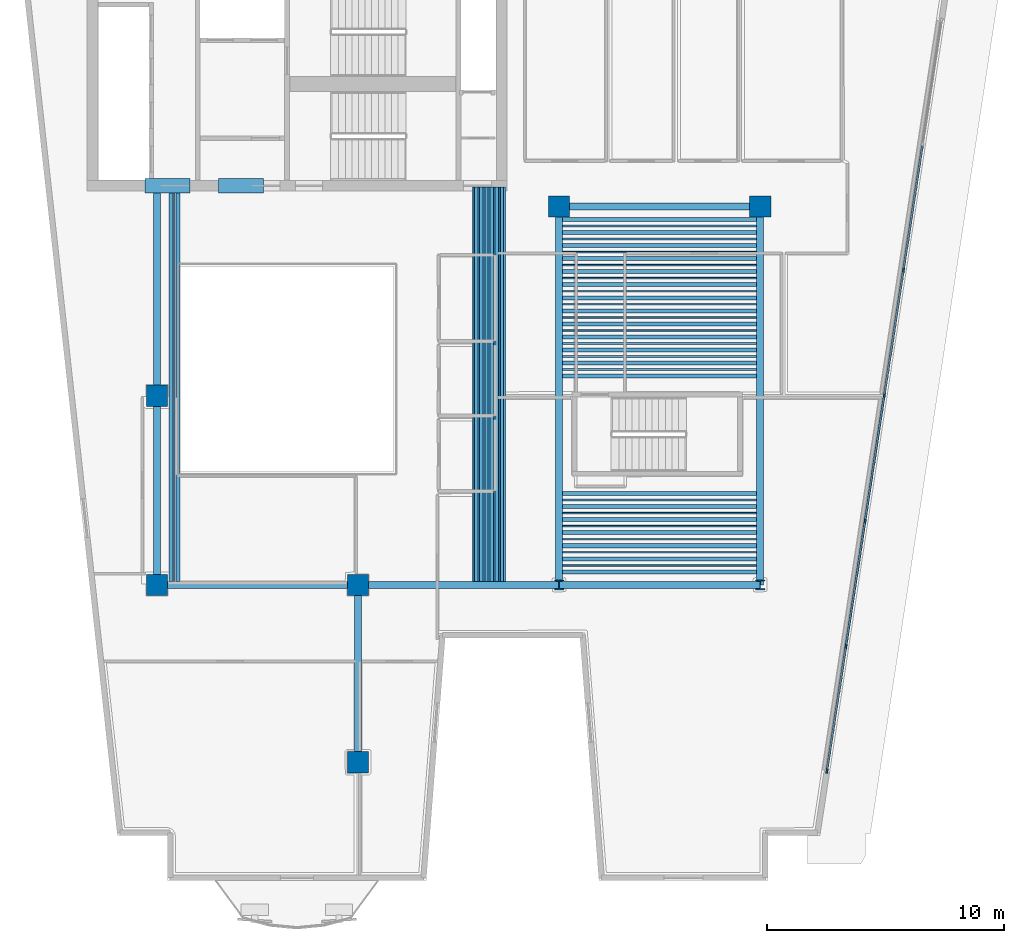
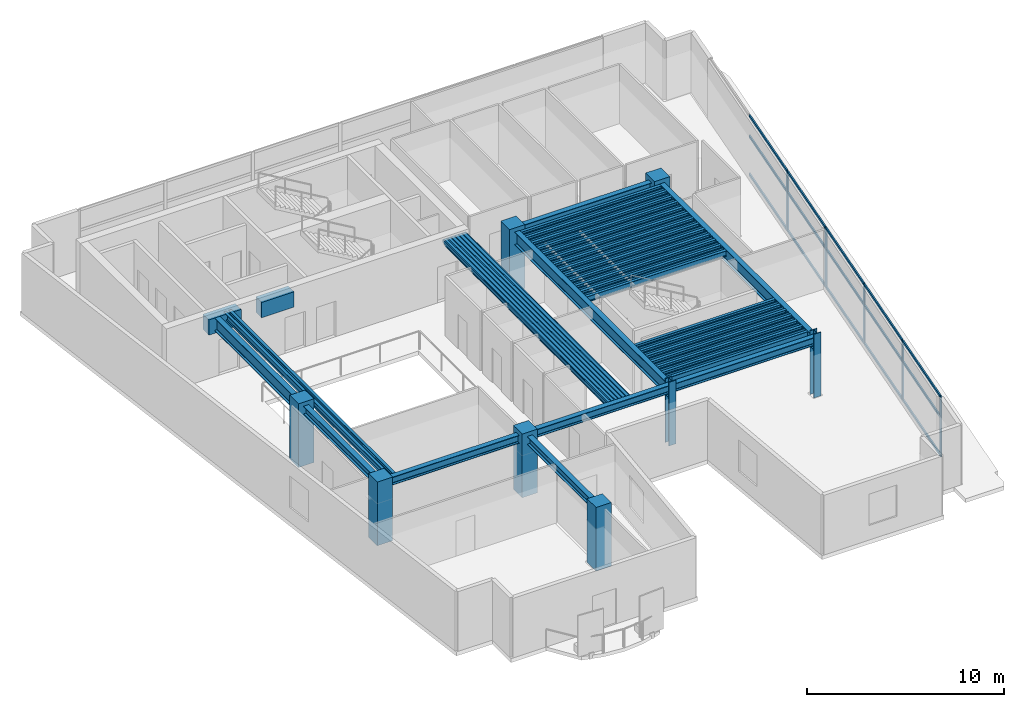
# One storey, part 1 of 8: 65 beams, 20 members, 8 columns, 1 element without a shape of its own.
"""IFC4 building model written with IfcOpenShell, lengths in metres."""

import ifcopenshell
import ifcopenshell.guid

model = None  # the IFC model being written
_history = None  # IfcOwnerHistory: only IFC2X3 demands one
_inside = {}  # id of a spatial element -> (the spatial element, [elements in it])
_under = {}  # id of a project, library or spatial element -> (it, [spatial elements below it])
_declared = {}  # id of a project -> (the project, [libraries it declares])
_typed = {}  # id of a type object -> (the type object, [elements of that type])
_made_of = {}  # id of a material, layer set ... -> (it, [elements and type objects made of it])


def new_model(schema):
    """Start an empty IFC model of exactly this schema.

    Asked for "IFC4X3", IfcOpenShell would pick the latest addendum, in which some entities
    have other attributes; the version numbers below select the first issue.
    IFC2X3 requires an IfcOwnerHistory on every rooted entity: one is made here for all.
    """
    global model, _history
    if schema == "IFC4X3":
        model = ifcopenshell.file(schema_version=(4, 3, 0, 0))
    else:
        model = ifcopenshell.file(schema=schema)
    _inside.clear()
    _under.clear()
    _declared.clear()
    _typed.clear()
    _made_of.clear()
    _history = None
    if model.schema == "IFC2X3":
        org = make("IfcOrganization", Name="unknown")
        user = make(
            "IfcPersonAndOrganization",
            ThePerson=make("IfcPerson", FamilyName="unknown"),
            TheOrganization=org,
        )
        app = make(
            "IfcApplication",
            ApplicationDeveloper=org,
            Version="unknown",
            ApplicationFullName="unknown",
            ApplicationIdentifier="unknown",
        )
        _history = make(
            "IfcOwnerHistory",
            OwningUser=user,
            OwningApplication=app,
            ChangeAction="ADDED",
            CreationDate=0,
        )
    return model


def make(cls, **values):
    """One entity of the class cls with the attributes given. An attribute that is None is left unset."""
    return model.create_entity(
        cls, **{name: value for name, value in values.items() if value is not None}
    )


def rooted(cls, **values):
    """An entity with a GlobalId (a new one), such as an element, a storey or a relation."""
    return make(cls, GlobalId=ifcopenshell.guid.new(), OwnerHistory=_history, **values)


def si_unit(unit_type, name, prefix=None):
    """IfcSIUnit, for example si_unit("LENGTHUNIT", "METRE", prefix="MILLI")."""
    return make("IfcSIUnit", UnitType=unit_type, Prefix=prefix, Name=name)


def assignment(units):
    """IfcUnitAssignment: the units of a project."""
    return None if units is None else make("IfcUnitAssignment", Units=units)


def point(xyz):
    """IfcCartesianPoint."""
    return None if xyz is None else make("IfcCartesianPoint", Coordinates=xyz)


def direction(xyz):
    """IfcDirection."""
    return None if xyz is None else make("IfcDirection", DirectionRatios=xyz)


def frame(location, z_axis=None, x_axis=None):
    """IfcAxis2Placement3D, a coordinate frame: its origin and axes. An axis left out is left unset."""
    return make(
        "IfcAxis2Placement3D",
        Location=point(location),
        Axis=direction(z_axis),
        RefDirection=direction(x_axis),
    )


def frame_2d(location, x_axis=None):
    """IfcAxis2Placement2D, a coordinate frame in the plane: its origin and x axis."""
    return make(
        "IfcAxis2Placement2D", Location=point(location), RefDirection=direction(x_axis)
    )


def origin():
    """The frame at (0, 0, 0) with its axes left unset."""
    return frame((0.0, 0.0, 0.0))


def origin_2d():
    """The frame at (0, 0) in the plane with its x axis left unset."""
    return frame_2d((0.0, 0.0))


def place(relative_to, where):
    """IfcLocalPlacement: puts the frame where relative to a parent placement (None: the world)."""
    return make(
        "IfcLocalPlacement", PlacementRelTo=relative_to, RelativePlacement=where
    )


def context(
    kind, dimensions, precision=None, world=None, true_north=None, identifier=None
):
    """IfcGeometricRepresentationContext, for example the 3D "Model" context."""
    return make(
        "IfcGeometricRepresentationContext",
        ContextIdentifier=identifier,
        ContextType=kind,
        CoordinateSpaceDimension=dimensions,
        Precision=precision,
        WorldCoordinateSystem=world,
        TrueNorth=true_north,
    )


def subcontext(parent, identifier, kind, view, scale=None):
    """IfcGeometricRepresentationSubContext, for example "Body" below "Model"."""
    return make(
        "IfcGeometricRepresentationSubContext",
        ContextIdentifier=identifier,
        ContextType=kind,
        ParentContext=parent,
        TargetScale=scale,
        TargetView=view,
    )


def project(units=None, contexts=None):
    """IfcProject with its units and contexts."""
    return rooted(
        "IfcProject",
        Name="project",
        RepresentationContexts=contexts,
        UnitsInContext=assignment(units),
    )


def spatial(cls, under=None, at=None, **own):
    """A site, building, storey or space (cls), placed at a placement, below another one or the project."""
    s = rooted(cls, ObjectPlacement=at, **own)
    if under is not None:
        _under.setdefault(under.id(), (under, []))[1].append(s)
    return s


def profile(cls, at=None, kind="AREA", **sizes):
    """A parametric profile (cls). Its sizes go by their IFC names, for example OverallWidth=200.0."""
    return make(cls, ProfileType=kind, Position=at, **sizes)


def rectangle(**sizes):
    """IfcRectangleProfileDef."""
    return profile("IfcRectangleProfileDef", **sizes)


def hollow_rectangle(**sizes):
    """IfcRectangleHollowProfileDef."""
    return profile("IfcRectangleHollowProfileDef", **sizes)


def i_section(**sizes):
    """IfcIShapeProfileDef."""
    return profile("IfcIShapeProfileDef", **sizes)


def extrude(swept, where, along, depth):
    """IfcExtrudedAreaSolid: the profile swept, set in the frame where, extruded along a direction by depth."""
    return make(
        "IfcExtrudedAreaSolid",
        SweptArea=swept,
        Position=where,
        ExtrudedDirection=direction(along),
        Depth=depth,
    )


def shape(context_of_items, identifier, shape_type, items):
    """IfcShapeRepresentation: the items that make up one representation, for example the "Body"."""
    return make(
        "IfcShapeRepresentation",
        ContextOfItems=context_of_items,
        RepresentationIdentifier=identifier,
        RepresentationType=shape_type,
        Items=items,
    )


def material(Name=None, Category=None):
    """IfcMaterial."""
    return make("IfcMaterial", Name=Name, Category=Category)


def layer(
    of_material, thickness, ventilated=None, Name=None, Category=None, Priority=None
):
    """IfcMaterialLayer: one layer of a wall or slab, of a material (None: an air gap)."""
    return make(
        "IfcMaterialLayer",
        Material=of_material,
        LayerThickness=thickness,
        IsVentilated=ventilated,
        Name=Name,
        Category=Category,
        Priority=Priority,
    )


def layer_set(layers, Name=None):
    """IfcMaterialLayerSet."""
    return make("IfcMaterialLayerSet", MaterialLayers=layers, LayerSetName=Name)


def material_profile(
    of_material, cross_section, Name=None, Category=None, Priority=None
):
    """IfcMaterialProfile: a cross section and its material."""
    return make(
        "IfcMaterialProfile",
        Name=Name,
        Material=of_material,
        Profile=cross_section,
        Priority=Priority,
        Category=Category,
    )


def profile_set(profiles, Name=None, composite=None):
    """IfcMaterialProfileSet."""
    return make(
        "IfcMaterialProfileSet",
        Name=Name,
        MaterialProfiles=profiles,
        CompositeProfile=composite,
    )


def made_of(thing, what):
    """Note that an element or type object is made of a material, layer set ...; save() writes the relation."""
    if what is not None:
        _made_of.setdefault(what.id(), (what, []))[1].append(thing)
    return thing


def type_object(cls, material=None, **own):
    """A type object (cls), such as IfcWallType, which elements share."""
    return made_of(rooted(cls, **own), material)


def element(
    cls,
    number,
    at=None,
    inside=None,
    cuts=None,
    type_object=None,
    material=None,
    context=None,
    identifier="Body",
    shape_type=None,
    held_by="IfcProductDefinitionShape",
    body=None,
    shapes=None,
    **own,
):
    """One element of the class cls, such as IfcWall. Its Tag is "e" and its number.

    at: its placement. inside: the storey or other place that contains it. cuts: it is an
    opening in that element (IfcRelVoidsElement). A single representation is given by context,
    identifier, shape_type and body (its items); several are given by shapes. held_by: the class
    of the entity that holds the representations. save() writes the other relations.
    """
    e = rooted(cls, Tag="e%d" % number, ObjectPlacement=at, **own)
    if body is not None:
        shapes = [shape(context, identifier, shape_type, body)]
    if shapes is not None:
        e.Representation = make(held_by, Representations=shapes)
    if inside is not None:
        _inside.setdefault(inside.id(), (inside, []))[1].append(e)
    if cuts is not None:
        rooted(
            "IfcRelVoidsElement", RelatingBuildingElement=cuts, RelatedOpeningElement=e
        )
    if type_object is not None:
        _typed.setdefault(type_object.id(), (type_object, []))[1].append(e)
    return made_of(e, material)


def aggregate(whole, parts):
    """IfcRelAggregates: a whole, such as a stair, and the parts it consists of."""
    return rooted("IfcRelAggregates", RelatingObject=whole, RelatedObjects=parts)


def save(model, path):
    """Write the relations noted so far, then the file.

    IfcRelAggregates (storeys below a building ...), IfcRelContainedInSpatialStructure (elements
    in a storey), IfcRelDefinesByType, IfcRelAssociatesMaterial and IfcRelDeclares: one each for
    every whole, place, type object, material and project.
    """
    for whole, parts in _under.values():
        aggregate(whole, parts)
    for where, things in _inside.values():
        rooted(
            "IfcRelContainedInSpatialStructure",
            RelatedElements=things,
            RelatingStructure=where,
        )
    for kind, things in _typed.values():
        rooted("IfcRelDefinesByType", RelatedObjects=things, RelatingType=kind)
    for what, things in _made_of.values():
        rooted("IfcRelAssociatesMaterial", RelatedObjects=things, RelatingMaterial=what)
    for by, libraries in _declared.values():
        rooted("IfcRelDeclares", RelatingContext=by, RelatedDefinitions=libraries)
    model.write(path)


model = new_model("IFC4")

# Units and contexts
model_context = context("Model", 3, precision=1e-05, world=origin(), true_north=direction((0.0, 1.0)))
body_context = subcontext(model_context, "Body", "Model", "MODEL_VIEW")
ifc_project = project(units=[si_unit("LENGTHUNIT", "METRE"), si_unit("AREAUNIT", "SQUARE_METRE"), si_unit("VOLUMEUNIT", "CUBIC_METRE"), si_unit("PLANEANGLEUNIT", "RADIAN"), si_unit("MASSUNIT", "GRAM", prefix="KILO")], contexts=[model_context])

# Site, building, storey
site_placement = place(None, origin())
site = spatial("IfcSite", under=ifc_project, at=site_placement, CompositionType="ELEMENT")
building_placement = place(site_placement, origin())
building = spatial("IfcBuilding", under=site, at=building_placement, Name="Caeloran Harvest Quay", CompositionType="ELEMENT")
storey_placement = place(building_placement, frame((0.0, 0.0, 235.10009765625)))
storey = spatial("IfcBuildingStorey", under=building, at=storey_placement, Name="L56", CompositionType="ELEMENT", Elevation=235.10009765625)

# Columns
ifc_material_1 = material(Name="Concrete C60/75", Category="concrete")
ifc_material_profile_1 = material_profile(ifc_material_1, rectangle(XDim=0.89990234375, YDim=0.89990234375, at=origin_2d()), Name="RC 900x900")
ifc_profile_set_1 = profile_set([ifc_material_profile_1], Name="Concrete C60/75")
column_type_1 = type_object("IfcColumnType", Name="COL-MC-4-RC_900x900", PredefinedType="COLUMN", material=ifc_profile_set_1)
for number, where, z_axis, x_axis, name in (
    (1, (8.5, 15.0, 0.0), (0.0, 0.0, 1.0), (1.0, 0.0, 0.0), "L56 Structural Column (8.5, 15.0)"),
    (2, (8.5, 23.0, 0.0), (0.0, 0.0, 1.0), (1.0, 0.0, 0.0), "L56 Structural Column (8.5, 23.0)"),
    (3, (17.0, 7.5, 0.0), (0.0, 0.0, 1.0), (1.0, 0.0, 0.0), "L56 Structural Column (17.0, 7.5)"),
    (4, (17.0, 15.0, 0.0), (0.0, 0.0, 1.0), (1.0, 0.0, 0.0), "L56 Structural Column (17.0, 15.0)"),
    (5, (25.5, 31.0, 0.0), (0.0, 0.0, 1.0), (1.0, 0.0, 0.0), "L56 Structural Column (25.5, 31.0)"),
    (6, (34.0, 31.0, 0.0), (0.0, 0.0, 1.0), (1.0, 0.0, 0.0), "L56 Structural Column (34.0, 31.0)"),
):
    element("IfcColumn", number, at=place(storey_placement, frame(where, z_axis=z_axis, x_axis=x_axis)), inside=storey, type_object=column_type_1, Name=name, PredefinedType="COLUMN", context=body_context, shape_type="SweptSolid", body=[
        extrude(rectangle(XDim=0.89990234375, YDim=0.89990234375, at=origin_2d()), origin(), (0.0, 0.0, 1.0), 3.949951171875),
    ])
ifc_material_2 = material(Name="Steel HISTAR 460", Category="steel")
ifc_material_profile_2 = material_profile(ifc_material_2, i_section(OverallWidth=0.406005859375, OverallDepth=0.416015625, WebThickness=0.02978515625, FlangeThickness=0.048095703125, FilletRadius=0.014892578125, at=origin_2d()), Name="HD 400x382")
ifc_profile_set_2 = profile_set([ifc_material_profile_2], Name="Steel HISTAR 460")
column_type_2 = type_object("IfcColumnType", Name="COL-SC-5-HD_400x382", PredefinedType="COLUMN", material=ifc_profile_set_2)
for number, where, z_axis, x_axis, name in (
    (7, (25.5, 15.0, 0.0), (0.0, 0.0, 1.0), (1.0, 0.0, 0.0), "L56 Structural Column (25.5, 15.0)"),
    (8, (34.0, 15.0, 0.0), (0.0, 0.0, 1.0), (1.0, 0.0, 0.0), "L56 Structural Column (34.0, 15.0)"),
):
    element("IfcColumn", number, at=place(storey_placement, frame(where, z_axis=z_axis, x_axis=x_axis)), inside=storey, type_object=column_type_2, Name=name, PredefinedType="COLUMN", context=body_context, shape_type="SweptSolid", body=[
        extrude(i_section(OverallWidth=0.406005859375, OverallDepth=0.416015625, WebThickness=0.02978515625, FlangeThickness=0.048095703125, FilletRadius=0.014892578125, at=origin_2d()), origin(), (0.0, 0.0, 1.0), 3.949951171875),
    ])

# Beams
ifc_material_profile_3 = material_profile(ifc_material_1, rectangle(XDim=0.60009765625, YDim=0.949951171875, at=origin_2d()), Name="RC 600x950")
ifc_profile_set_3 = profile_set([ifc_material_profile_3], Name="Concrete C60/75")
beam_type_1 = type_object("IfcBeamType", Name="BM-CB-2-RC_600x950", PredefinedType="LINTEL", material=ifc_profile_set_3)
for number, where, z_axis, x_axis, name in (
    (9, (8.0, 31.875, 3.224853515625), (1.0, 0.0, 0.0), (0.0, 1.0, 0.0), "L56 Core Coupling Beam 1"),
    (10, (11.10009765625, 31.875, 3.224853515625), (1.0, 0.0, 0.0), (0.0, 1.0, 0.0), "L56 Core Coupling Beam 2"),
):
    element("IfcBeam", number, at=place(storey_placement, frame(where, z_axis=z_axis, x_axis=x_axis)), inside=storey, type_object=beam_type_1, Name=name, PredefinedType="LINTEL", context=body_context, shape_type="SweptSolid", body=[
        extrude(rectangle(XDim=0.60009765625, YDim=0.949951171875, at=origin_2d()), origin(), (0.0, 0.0, 1.0), 1.89990234375),
    ])
ifc_material_3 = material(Name="Steel S355J2", Category="steel")
ifc_material_profile_4 = material_profile(ifc_material_3, i_section(OverallWidth=0.300048828125, OverallDepth=0.800048828125, WebThickness=0.017578125, FlangeThickness=0.032958984375, FilletRadius=0.030029296875, at=origin_2d()), Name="HE 800 B")
ifc_profile_set_4 = profile_set([ifc_material_profile_4], Name="Steel S355J2")
beam_type_2 = type_object("IfcBeamType", Name="BM-PG-1-HE_800_B", PredefinedType="BEAM", material=ifc_profile_set_4)
beam_1_placement = place(storey_placement, frame((8.5, 23.0, 3.2998046875), z_axis=(0.0, 1.0, 0.0), x_axis=(-1.0, 0.0, 0.0)))
element("IfcBeam", 11, at=beam_1_placement, inside=storey, type_object=beam_type_2, Name="L56 Core South Tie Girder X=8.5", PredefinedType="BEAM", context=body_context, shape_type="SweptSolid", body=[
    extrude(i_section(OverallWidth=0.300048828125, OverallDepth=0.800048828125, WebThickness=0.017578125, FlangeThickness=0.032958984375, FilletRadius=0.030029296875, at=origin_2d()), origin(), (0.0, 0.0, 1.0), 8.824951171875),
])
for number, where, z_axis, x_axis, name in (
    (12, (25.5, 15.0, 3.2998046875), (0.0, 1.0, 0.0), (-1.0, 0.0, 0.0), "L56 Primary North-South Girder X=25.5"),
    (13, (34.0, 15.0, 3.2998046875), (0.0, 1.0, 0.0), (-1.0, 0.0, 0.0), "L56 Primary North-South Girder X=34.0"),
):
    element("IfcBeam", number, at=place(storey_placement, frame(where, z_axis=z_axis, x_axis=x_axis)), inside=storey, type_object=beam_type_2, Name=name, PredefinedType="BEAM", context=body_context, shape_type="SweptSolid", body=[
        extrude(i_section(OverallWidth=0.300048828125, OverallDepth=0.800048828125, WebThickness=0.017578125, FlangeThickness=0.032958984375, FilletRadius=0.030029296875, at=origin_2d()), origin(), (0.0, 0.0, 1.0), 16.0),
    ])
ifc_material_profile_5 = material_profile(ifc_material_3, i_section(OverallWidth=0.300048828125, OverallDepth=0.5, WebThickness=0.014404296875, FlangeThickness=0.028076171875, FilletRadius=0.027099609375, at=origin_2d()), Name="HE 500 B")
ifc_profile_set_5 = profile_set([ifc_material_profile_5], Name="Steel S355J2")
beam_type_3 = type_object("IfcBeamType", Name="BM-PG-4-HE_500_B", PredefinedType="BEAM", material=ifc_profile_set_5)
for number, where, z_axis, x_axis, name in (
    (14, (8.5, 15.0, 3.449951171875), (1.0, 0.0, 0.0), (0.0, 1.0, 0.0), "L56 Primary East-West Girder Y=15.0"),
    (15, (17.0, 15.0, 3.449951171875), (1.0, 0.0, 0.0), (0.0, 1.0, 0.0), "L56 Primary East-West Girder Y=15.0"),
    (16, (25.5, 15.0, 3.449951171875), (1.0, 0.0, 0.0), (0.0, 1.0, 0.0), "L56 Primary East-West Girder Y=15.0"),
    (17, (25.5, 31.0, 3.449951171875), (1.0, 0.0, 0.0), (0.0, 1.0, 0.0), "L56 Primary East-West Girder Y=31.0"),
):
    element("IfcBeam", number, at=place(storey_placement, frame(where, z_axis=z_axis, x_axis=x_axis)), inside=storey, type_object=beam_type_3, Name=name, PredefinedType="BEAM", context=body_context, shape_type="SweptSolid", body=[
        extrude(i_section(OverallWidth=0.300048828125, OverallDepth=0.5, WebThickness=0.014404296875, FlangeThickness=0.028076171875, FilletRadius=0.027099609375, at=origin_2d()), origin(), (0.0, 0.0, 1.0), 8.5),
    ])
beam_2_placement = place(storey_placement, frame((8.5, 15.0, 3.449951171875), z_axis=(0.0, 1.0, 0.0), x_axis=(-1.0, 0.0, 0.0)))
element("IfcBeam", 18, at=beam_2_placement, inside=storey, type_object=beam_type_3, Name="L56 Primary North-South Girder X=8.5", PredefinedType="BEAM", context=body_context, shape_type="SweptSolid", body=[
    extrude(i_section(OverallWidth=0.300048828125, OverallDepth=0.5, WebThickness=0.014404296875, FlangeThickness=0.028076171875, FilletRadius=0.027099609375, at=origin_2d()), origin(), (0.0, 0.0, 1.0), 8.0),
])
beam_3_placement = place(storey_placement, frame((17.0, 7.5, 3.449951171875), z_axis=(0.0, 1.0, 0.0), x_axis=(-1.0, 0.0, 0.0)))
element("IfcBeam", 19, at=beam_3_placement, inside=storey, type_object=beam_type_3, Name="L56 Primary North-South Girder X=17.0", PredefinedType="BEAM", context=body_context, shape_type="SweptSolid", body=[
    extrude(i_section(OverallWidth=0.300048828125, OverallDepth=0.5, WebThickness=0.014404296875, FlangeThickness=0.028076171875, FilletRadius=0.027099609375, at=origin_2d()), origin(), (0.0, 0.0, 1.0), 7.5),
])
ifc_material_profile_6 = material_profile(ifc_material_3, i_section(OverallWidth=0.169921875, OverallDepth=0.360107421875, WebThickness=0.008056640625, FlangeThickness=0.0126953125, FilletRadius=0.01806640625, at=origin_2d()), Name="IPE 360")
ifc_profile_set_6 = profile_set([ifc_material_profile_6], Name="Steel S355J2")
beam_type_4 = type_object("IfcBeamType", Name="BM-SB-5-IPE_360", PredefinedType="JOIST", material=ifc_profile_set_6)
for number, where, z_axis, x_axis, name in (
    (20, (9.086181640625, 15.14501953125, 3.52001953125), (0.0, 1.0, 0.0), (-1.0, 0.0, 0.0), "L56 Secondary Composite Joist"),
    (21, (9.37939453125, 15.14501953125, 3.52001953125), (0.0, 1.0, 0.0), (-1.0, 0.0, 0.0), "L56 Secondary Composite Joist"),
    (22, (21.99658203125, 15.14501953125, 3.52001953125), (0.0, 1.0, 0.0), (-1.0, 0.0, 0.0), "L56 Secondary Composite Joist"),
    (23, (22.2138671875, 15.14501953125, 3.52001953125), (0.0, 1.0, 0.0), (-1.0, 0.0, 0.0), "L56 Secondary Composite Joist"),
    (24, (22.430908203125, 15.14501953125, 3.52001953125), (0.0, 1.0, 0.0), (-1.0, 0.0, 0.0), "L56 Secondary Composite Joist"),
    (25, (22.648193359375, 15.14501953125, 3.52001953125), (0.0, 1.0, 0.0), (-1.0, 0.0, 0.0), "L56 Secondary Composite Joist"),
    (26, (22.865478515625, 15.14501953125, 3.52001953125), (0.0, 1.0, 0.0), (-1.0, 0.0, 0.0), "L56 Secondary Composite Joist"),
    (27, (23.082763671875, 15.14501953125, 3.52001953125), (0.0, 1.0, 0.0), (-1.0, 0.0, 0.0), "L56 Secondary Composite Joist"),
):
    element("IfcBeam", number, at=place(storey_placement, frame(where, z_axis=z_axis, x_axis=x_axis)), inside=storey, type_object=beam_type_4, Name=name, PredefinedType="JOIST", context=body_context, shape_type="SweptSolid", body=[
        extrude(i_section(OverallWidth=0.169921875, OverallDepth=0.360107421875, WebThickness=0.008056640625, FlangeThickness=0.0126953125, FilletRadius=0.01806640625, at=origin_2d()), origin(), (0.0, 0.0, 1.0), 16.679931640625),
    ])
for number, where, z_axis, x_axis, name in (
    (28, (25.64501953125, 15.5517578125, 3.52001953125), (1.0, 0.0, 0.0), (0.0, 1.0, 0.0), "L56 Secondary East-West Composite Joist"),
    (29, (25.64501953125, 16.103515625, 3.52001953125), (1.0, 0.0, 0.0), (0.0, 1.0, 0.0), "L56 Secondary East-West Composite Joist"),
    (30, (25.64501953125, 16.6552734375, 3.52001953125), (1.0, 0.0, 0.0), (0.0, 1.0, 0.0), "L56 Secondary East-West Composite Joist"),
    (31, (25.64501953125, 17.206787109375, 3.52001953125), (1.0, 0.0, 0.0), (0.0, 1.0, 0.0), "L56 Secondary East-West Composite Joist"),
    (32, (25.64501953125, 17.758544921875, 3.52001953125), (1.0, 0.0, 0.0), (0.0, 1.0, 0.0), "L56 Secondary East-West Composite Joist"),
    (33, (25.64501953125, 18.310302734375, 3.52001953125), (1.0, 0.0, 0.0), (0.0, 1.0, 0.0), "L56 Secondary East-West Composite Joist"),
    (34, (25.64501953125, 18.862060546875, 3.52001953125), (1.0, 0.0, 0.0), (0.0, 1.0, 0.0), "L56 Secondary East-West Composite Joist"),
    (35, (25.64501953125, 23.82763671875, 3.52001953125), (1.0, 0.0, 0.0), (0.0, 1.0, 0.0), "L56 Secondary East-West Composite Joist"),
    (36, (25.64501953125, 24.37939453125, 3.52001953125), (1.0, 0.0, 0.0), (0.0, 1.0, 0.0), "L56 Secondary East-West Composite Joist"),
    (37, (25.64501953125, 24.930908203125, 3.52001953125), (1.0, 0.0, 0.0), (0.0, 1.0, 0.0), "L56 Secondary East-West Composite Joist"),
    (38, (25.64501953125, 25.48291015625, 3.52001953125), (1.0, 0.0, 0.0), (0.0, 1.0, 0.0), "L56 Secondary East-West Composite Joist"),
    (39, (25.64501953125, 26.034423828125, 3.52001953125), (1.0, 0.0, 0.0), (0.0, 1.0, 0.0), "L56 Secondary East-West Composite Joist"),
    (40, (25.64501953125, 26.586181640625, 3.52001953125), (1.0, 0.0, 0.0), (0.0, 1.0, 0.0), "L56 Secondary East-West Composite Joist"),
    (41, (25.64501953125, 27.137939453125, 3.52001953125), (1.0, 0.0, 0.0), (0.0, 1.0, 0.0), "L56 Secondary East-West Composite Joist"),
    (42, (25.64501953125, 27.689697265625, 3.52001953125), (1.0, 0.0, 0.0), (0.0, 1.0, 0.0), "L56 Secondary East-West Composite Joist"),
    (43, (25.64501953125, 28.241455078125, 3.52001953125), (1.0, 0.0, 0.0), (0.0, 1.0, 0.0), "L56 Secondary East-West Composite Joist"),
    (44, (25.64501953125, 28.793212890625, 3.52001953125), (1.0, 0.0, 0.0), (0.0, 1.0, 0.0), "L56 Secondary East-West Composite Joist"),
    (45, (25.64501953125, 29.3447265625, 3.52001953125), (1.0, 0.0, 0.0), (0.0, 1.0, 0.0), "L56 Secondary East-West Composite Joist"),
    (46, (25.64501953125, 29.896484375, 3.52001953125), (1.0, 0.0, 0.0), (0.0, 1.0, 0.0), "L56 Secondary East-West Composite Joist"),
    (47, (25.64501953125, 30.4482421875, 3.52001953125), (1.0, 0.0, 0.0), (0.0, 1.0, 0.0), "L56 Secondary East-West Composite Joist"),
):
    element("IfcBeam", number, at=place(storey_placement, frame(where, z_axis=z_axis, x_axis=x_axis)), inside=storey, type_object=beam_type_4, Name=name, PredefinedType="JOIST", context=body_context, shape_type="SweptSolid", body=[
        extrude(i_section(OverallWidth=0.169921875, OverallDepth=0.360107421875, WebThickness=0.008056640625, FlangeThickness=0.0126953125, FilletRadius=0.01806640625, at=origin_2d()), origin(), (0.0, 0.0, 1.0), 8.2099609375),
    ])
ifc_material_profile_7 = material_profile(ifc_material_3, hollow_rectangle(XDim=0.080078125, YDim=0.199951171875, WallThickness=0.006103515625, InnerFilletRadius=0.006103515625, OuterFilletRadius=0.009033203125, at=origin_2d()), Name="RHS 200x80x6")
ifc_profile_set_7 = profile_set([ifc_material_profile_7], Name="Steel S355J2")
beam_type_5 = type_object("IfcBeamType", Name="BM-SB-7-RHS_200x80x6", PredefinedType="JOIST", material=ifc_profile_set_7)
for number, where, z_axis, x_axis, name in (
    (48, (9.23291015625, 15.14501953125, 3.599853515625), (0.0, 1.0, 0.0), (-1.0, 0.0, 0.0), "L56 Secondary Composite Joist"),
    (49, (21.887939453125, 15.14501953125, 3.599853515625), (0.0, 1.0, 0.0), (-1.0, 0.0, 0.0), "L56 Secondary Composite Joist"),
    (50, (22.105224609375, 15.14501953125, 3.599853515625), (0.0, 1.0, 0.0), (-1.0, 0.0, 0.0), "L56 Secondary Composite Joist"),
    (51, (22.322509765625, 15.14501953125, 3.599853515625), (0.0, 1.0, 0.0), (-1.0, 0.0, 0.0), "L56 Secondary Composite Joist"),
    (52, (22.539794921875, 15.14501953125, 3.599853515625), (0.0, 1.0, 0.0), (-1.0, 0.0, 0.0), "L56 Secondary Composite Joist"),
    (53, (22.7568359375, 15.14501953125, 3.599853515625), (0.0, 1.0, 0.0), (-1.0, 0.0, 0.0), "L56 Secondary Composite Joist"),
    (54, (22.97412109375, 15.14501953125, 3.599853515625), (0.0, 1.0, 0.0), (-1.0, 0.0, 0.0), "L56 Secondary Composite Joist"),
    (55, (23.19140625, 15.14501953125, 3.599853515625), (0.0, 1.0, 0.0), (-1.0, 0.0, 0.0), "L56 Secondary Composite Joist"),
):
    element("IfcBeam", number, at=place(storey_placement, frame(where, z_axis=z_axis, x_axis=x_axis)), inside=storey, type_object=beam_type_5, Name=name, PredefinedType="JOIST", context=body_context, shape_type="SweptSolid", body=[
        extrude(hollow_rectangle(XDim=0.080078125, YDim=0.199951171875, WallThickness=0.006103515625, InnerFilletRadius=0.006103515625, OuterFilletRadius=0.009033203125, at=origin_2d()), origin(), (0.0, 0.0, 1.0), 16.679931640625),
    ])
for number, where, z_axis, x_axis, name in (
    (56, (25.64501953125, 15.82763671875, 3.599853515625), (1.0, 0.0, 0.0), (0.0, 1.0, 0.0), "L56 Secondary East-West Composite Joist"),
    (57, (25.64501953125, 16.37939453125, 3.599853515625), (1.0, 0.0, 0.0), (0.0, 1.0, 0.0), "L56 Secondary East-West Composite Joist"),
    (58, (25.64501953125, 16.930908203125, 3.599853515625), (1.0, 0.0, 0.0), (0.0, 1.0, 0.0), "L56 Secondary East-West Composite Joist"),
    (59, (25.64501953125, 17.48291015625, 3.599853515625), (1.0, 0.0, 0.0), (0.0, 1.0, 0.0), "L56 Secondary East-West Composite Joist"),
    (60, (25.64501953125, 18.034423828125, 3.599853515625), (1.0, 0.0, 0.0), (0.0, 1.0, 0.0), "L56 Secondary East-West Composite Joist"),
    (61, (25.64501953125, 18.586181640625, 3.599853515625), (1.0, 0.0, 0.0), (0.0, 1.0, 0.0), "L56 Secondary East-West Composite Joist"),
    (62, (25.64501953125, 24.103515625, 3.599853515625), (1.0, 0.0, 0.0), (0.0, 1.0, 0.0), "L56 Secondary East-West Composite Joist"),
    (63, (25.64501953125, 24.6552734375, 3.599853515625), (1.0, 0.0, 0.0), (0.0, 1.0, 0.0), "L56 Secondary East-West Composite Joist"),
    (64, (25.64501953125, 25.206787109375, 3.599853515625), (1.0, 0.0, 0.0), (0.0, 1.0, 0.0), "L56 Secondary East-West Composite Joist"),
    (65, (25.64501953125, 25.758544921875, 3.599853515625), (1.0, 0.0, 0.0), (0.0, 1.0, 0.0), "L56 Secondary East-West Composite Joist"),
    (66, (25.64501953125, 26.310302734375, 3.599853515625), (1.0, 0.0, 0.0), (0.0, 1.0, 0.0), "L56 Secondary East-West Composite Joist"),
    (67, (25.64501953125, 26.862060546875, 3.599853515625), (1.0, 0.0, 0.0), (0.0, 1.0, 0.0), "L56 Secondary East-West Composite Joist"),
    (68, (25.64501953125, 27.413818359375, 3.599853515625), (1.0, 0.0, 0.0), (0.0, 1.0, 0.0), "L56 Secondary East-West Composite Joist"),
    (69, (25.64501953125, 27.965576171875, 3.599853515625), (1.0, 0.0, 0.0), (0.0, 1.0, 0.0), "L56 Secondary East-West Composite Joist"),
    (70, (25.64501953125, 28.51708984375, 3.599853515625), (1.0, 0.0, 0.0), (0.0, 1.0, 0.0), "L56 Secondary East-West Composite Joist"),
    (71, (25.64501953125, 29.069091796875, 3.599853515625), (1.0, 0.0, 0.0), (0.0, 1.0, 0.0), "L56 Secondary East-West Composite Joist"),
    (72, (25.64501953125, 29.62060546875, 3.599853515625), (1.0, 0.0, 0.0), (0.0, 1.0, 0.0), "L56 Secondary East-West Composite Joist"),
    (73, (25.64501953125, 30.17236328125, 3.599853515625), (1.0, 0.0, 0.0), (0.0, 1.0, 0.0), "L56 Secondary East-West Composite Joist"),
):
    element("IfcBeam", number, at=place(storey_placement, frame(where, z_axis=z_axis, x_axis=x_axis)), inside=storey, type_object=beam_type_5, Name=name, PredefinedType="JOIST", context=body_context, shape_type="SweptSolid", body=[
        extrude(hollow_rectangle(XDim=0.080078125, YDim=0.199951171875, WallThickness=0.006103515625, InnerFilletRadius=0.006103515625, OuterFilletRadius=0.009033203125, at=origin_2d()), origin(), (0.0, 0.0, 1.0), 8.2099609375),
    ])

# Curtain wall, members
ifc_material_4 = material(Name="Aluminium 6063-T6 and Low-E Glazing", Category="aluminium")
ifc_layer = layer(ifc_material_4, 0.219970703125, Name="Aluminium 6063-T6 and Low-E Glazing")
ifc_layer_set = layer_set([ifc_layer], Name="Aluminium 6063-T6 and Low-E Glazing")
curtain_wall_type = type_object("IfcCurtainWallType", Name="CW-SYS-CW-5", PredefinedType="USERDEFINED", material=ifc_layer_set)
curtain_wall_placement = place(storey_placement, origin())
curtain_wall = element("IfcCurtainWall", 74, at=curtain_wall_placement, inside=storey, type_object=curtain_wall_type, Name="L56 Unitised Curtain Wall CW-5 Run 9", ObjectType="CURTAIN_WALL", PredefinedType="USERDEFINED")
ifc_material_5 = material(Name="Aluminium 6063-T6", Category="aluminium")
ifc_material_profile_8 = material_profile(ifc_material_5, rectangle(XDim=0.080078125, YDim=0.179931640625, at=origin_2d()), Name="CW-MULLION-180")
ifc_profile_set_8 = profile_set([ifc_material_profile_8], Name="Aluminium 6063-T6")
member_type_1 = type_object("IfcMemberType", Name="CW-MULLION-180", PredefinedType="MULLION", material=ifc_profile_set_8)
member_1_placement = place(storey_placement, frame((40.056884765625, 28.30322265625, 0.0), z_axis=(0.0, 0.0, 1.0), x_axis=(0.988529547698, -0.151027591278, 0.0)))
member_1 = element("IfcMember", 75, at=member_1_placement, type_object=member_type_1, Name="CW-5 mullion 3", PredefinedType="MULLION", context=body_context, shape_type="SweptSolid", body=[
    extrude(rectangle(XDim=0.080078125, YDim=0.179931640625, at=origin_2d()), origin(), (0.0, 0.0, 1.0), 3.699951171875),
])
member_2_placement = place(storey_placement, frame((39.24658203125, 23.0, 0.0), z_axis=(0.0, 0.0, 1.0), x_axis=(0.988529547698, -0.151027591278, 0.0)))
member_2 = element("IfcMember", 76, at=member_2_placement, type_object=member_type_1, Name="CW-5 mullion 4", PredefinedType="MULLION", context=body_context, shape_type="SweptSolid", body=[
    extrude(rectangle(XDim=0.080078125, YDim=0.179931640625, at=origin_2d()), origin(), (0.0, 0.0, 1.0), 3.699951171875),
])
member_3_placement = place(storey_placement, frame((38.436279296875, 17.69677734375, 0.0), z_axis=(0.0, 0.0, 1.0), x_axis=(0.988529547698, -0.151027591278, 0.0)))
member_3 = element("IfcMember", 77, at=member_3_placement, type_object=member_type_1, Name="CW-5 mullion 5", PredefinedType="MULLION", context=body_context, shape_type="SweptSolid", body=[
    extrude(rectangle(XDim=0.080078125, YDim=0.179931640625, at=origin_2d()), origin(), (0.0, 0.0, 1.0), 3.699951171875),
])
member_4_placement = place(storey_placement, frame((37.626220703125, 12.3935546875, 0.0), z_axis=(0.0, 0.0, 1.0), x_axis=(0.988529547698, -0.151027591278, 0.0)))
member_4 = element("IfcMember", 78, at=member_4_placement, type_object=member_type_1, Name="CW-5 mullion 6", PredefinedType="MULLION", context=body_context, shape_type="SweptSolid", body=[
    extrude(rectangle(XDim=0.080078125, YDim=0.179931640625, at=origin_2d()), origin(), (0.0, 0.0, 1.0), 3.699951171875),
])
member_5_placement = place(storey_placement, frame((36.822021484375, 7.129638671875, 0.0), z_axis=(0.0, 0.0, 1.0), x_axis=(0.988529547698, -0.151027591278, 0.0)))
member_5 = element("IfcMember", 79, at=member_5_placement, type_object=member_type_1, Name="CW-5 mullion 7", PredefinedType="MULLION", context=body_context, shape_type="SweptSolid", body=[
    extrude(rectangle(XDim=0.080078125, YDim=0.179931640625, at=origin_2d()), origin(), (0.0, 0.0, 1.0), 3.699951171875),
])
ifc_material_profile_9 = material_profile(ifc_material_5, rectangle(XDim=0.080078125, YDim=0.14990234375, at=origin_2d()), Name="CW-TRANSOM-150")
ifc_profile_set_9 = profile_set([ifc_material_profile_9], Name="Aluminium 6063-T6")
member_type_2 = type_object("IfcMemberType", Name="CW-TRANSOM-150", PredefinedType="USERDEFINED", material=ifc_profile_set_9)
member_6_placement = place(storey_placement, frame((40.861083984375, 33.56689453125, 0.039794921875), z_axis=(-0.151019128787, -0.988530840561, 0.0), x_axis=(0.988530840561, -0.151019128787, 0.0)))
member_6 = element("IfcMember", 80, at=member_6_placement, type_object=member_type_2, Name="CW-5 transom 2.1", ObjectType="TRANSOM", PredefinedType="USERDEFINED", context=body_context, shape_type="SweptSolid", body=[
    extrude(rectangle(XDim=0.080078125, YDim=0.14990234375, at=origin_2d()), origin(), (0.0, 0.0, 1.0), 5.28466796875),
])
member_7_placement = place(storey_placement, frame((40.861083984375, 33.56689453125, 2.39990234375), z_axis=(-0.151019128787, -0.988530840561, 0.0), x_axis=(0.988530840561, -0.151019128787, 0.0)))
member_7 = element("IfcMember", 81, at=member_7_placement, type_object=member_type_2, Name="CW-5 transom 2.2", ObjectType="TRANSOM", PredefinedType="USERDEFINED", context=body_context, shape_type="SweptSolid", body=[
    extrude(rectangle(XDim=0.080078125, YDim=0.14990234375, at=origin_2d()), origin(), (0.0, 0.0, 1.0), 5.28466796875),
])
member_8_placement = place(storey_placement, frame((40.861083984375, 33.56689453125, 3.659912109375), z_axis=(-0.151019128787, -0.988530840561, 0.0), x_axis=(0.988530840561, -0.151019128787, 0.0)))
member_8 = element("IfcMember", 82, at=member_8_placement, type_object=member_type_2, Name="CW-5 transom 2.3", ObjectType="TRANSOM", PredefinedType="USERDEFINED", context=body_context, shape_type="SweptSolid", body=[
    extrude(rectangle(XDim=0.080078125, YDim=0.14990234375, at=origin_2d()), origin(), (0.0, 0.0, 1.0), 5.28466796875),
])
member_9_placement = place(storey_placement, frame((40.05078125, 28.263671875, 0.039794921875), z_axis=(-0.151019128787, -0.988530840561, 0.0), x_axis=(0.988530840561, -0.151019128787, 0.0)))
member_9 = element("IfcMember", 83, at=member_9_placement, type_object=member_type_2, Name="CW-5 transom 3.1", ObjectType="TRANSOM", PredefinedType="USERDEFINED", context=body_context, shape_type="SweptSolid", body=[
    extrude(rectangle(XDim=0.080078125, YDim=0.14990234375, at=origin_2d()), origin(), (0.0, 0.0, 1.0), 5.28466796875),
])
member_10_placement = place(storey_placement, frame((40.05078125, 28.263671875, 2.39990234375), z_axis=(-0.151019128787, -0.988530840561, 0.0), x_axis=(0.988530840561, -0.151019128787, 0.0)))
member_10 = element("IfcMember", 84, at=member_10_placement, type_object=member_type_2, Name="CW-5 transom 3.2", ObjectType="TRANSOM", PredefinedType="USERDEFINED", context=body_context, shape_type="SweptSolid", body=[
    extrude(rectangle(XDim=0.080078125, YDim=0.14990234375, at=origin_2d()), origin(), (0.0, 0.0, 1.0), 5.28466796875),
])
member_11_placement = place(storey_placement, frame((40.05078125, 28.263671875, 3.659912109375), z_axis=(-0.151019128787, -0.988530840561, 0.0), x_axis=(0.988530840561, -0.151019128787, 0.0)))
member_11 = element("IfcMember", 85, at=member_11_placement, type_object=member_type_2, Name="CW-5 transom 3.3", ObjectType="TRANSOM", PredefinedType="USERDEFINED", context=body_context, shape_type="SweptSolid", body=[
    extrude(rectangle(XDim=0.080078125, YDim=0.14990234375, at=origin_2d()), origin(), (0.0, 0.0, 1.0), 5.28466796875),
])
member_12_placement = place(storey_placement, frame((39.240478515625, 22.96044921875, 0.039794921875), z_axis=(-0.151019128787, -0.988530840561, 0.0), x_axis=(0.988530840561, -0.151019128787, 0.0)))
member_12 = element("IfcMember", 86, at=member_12_placement, type_object=member_type_2, Name="CW-5 transom 4.1", ObjectType="TRANSOM", PredefinedType="USERDEFINED", context=body_context, shape_type="SweptSolid", body=[
    extrude(rectangle(XDim=0.080078125, YDim=0.14990234375, at=origin_2d()), origin(), (0.0, 0.0, 1.0), 5.28466796875),
])
member_13_placement = place(storey_placement, frame((39.240478515625, 22.96044921875, 2.39990234375), z_axis=(-0.151019128787, -0.988530840561, 0.0), x_axis=(0.988530840561, -0.151019128787, 0.0)))
member_13 = element("IfcMember", 87, at=member_13_placement, type_object=member_type_2, Name="CW-5 transom 4.2", ObjectType="TRANSOM", PredefinedType="USERDEFINED", context=body_context, shape_type="SweptSolid", body=[
    extrude(rectangle(XDim=0.080078125, YDim=0.14990234375, at=origin_2d()), origin(), (0.0, 0.0, 1.0), 5.28466796875),
])
member_14_placement = place(storey_placement, frame((39.240478515625, 22.96044921875, 3.659912109375), z_axis=(-0.151019128787, -0.988530840561, 0.0), x_axis=(0.988530840561, -0.151019128787, 0.0)))
member_14 = element("IfcMember", 88, at=member_14_placement, type_object=member_type_2, Name="CW-5 transom 4.3", ObjectType="TRANSOM", PredefinedType="USERDEFINED", context=body_context, shape_type="SweptSolid", body=[
    extrude(rectangle(XDim=0.080078125, YDim=0.14990234375, at=origin_2d()), origin(), (0.0, 0.0, 1.0), 5.28466796875),
])
member_15_placement = place(storey_placement, frame((38.430419921875, 17.6572265625, 0.039794921875), z_axis=(-0.15106427205, -0.988523942912, 0.0), x_axis=(0.988523942912, -0.15106427205, 0.0)))
member_15 = element("IfcMember", 89, at=member_15_placement, type_object=member_type_2, Name="CW-5 transom 5.1", ObjectType="TRANSOM", PredefinedType="USERDEFINED", context=body_context, shape_type="SweptSolid", body=[
    extrude(rectangle(XDim=0.080078125, YDim=0.14990234375, at=origin_2d()), origin(), (0.0, 0.0, 1.0), 5.28466796875),
])
member_16_placement = place(storey_placement, frame((38.430419921875, 17.6572265625, 2.39990234375), z_axis=(-0.15106427205, -0.988523942912, 0.0), x_axis=(0.988523942912, -0.15106427205, 0.0)))
member_16 = element("IfcMember", 90, at=member_16_placement, type_object=member_type_2, Name="CW-5 transom 5.2", ObjectType="TRANSOM", PredefinedType="USERDEFINED", context=body_context, shape_type="SweptSolid", body=[
    extrude(rectangle(XDim=0.080078125, YDim=0.14990234375, at=origin_2d()), origin(), (0.0, 0.0, 1.0), 5.28466796875),
])
member_17_placement = place(storey_placement, frame((38.430419921875, 17.6572265625, 3.659912109375), z_axis=(-0.15106427205, -0.988523942912, 0.0), x_axis=(0.988523942912, -0.15106427205, 0.0)))
member_17 = element("IfcMember", 91, at=member_17_placement, type_object=member_type_2, Name="CW-5 transom 5.3", ObjectType="TRANSOM", PredefinedType="USERDEFINED", context=body_context, shape_type="SweptSolid", body=[
    extrude(rectangle(XDim=0.080078125, YDim=0.14990234375, at=origin_2d()), origin(), (0.0, 0.0, 1.0), 5.28466796875),
])
member_18_placement = place(storey_placement, frame((37.6201171875, 12.35400390625, 0.039794921875), z_axis=(-0.151046246318, -0.9885266974, 0.0), x_axis=(0.9885266974, -0.151046246318, 0.0)))
member_18 = element("IfcMember", 92, at=member_18_placement, type_object=member_type_2, Name="CW-5 transom 6.1", ObjectType="TRANSOM", PredefinedType="USERDEFINED", context=body_context, shape_type="SweptSolid", body=[
    extrude(rectangle(XDim=0.080078125, YDim=0.14990234375, at=origin_2d()), origin(), (0.0, 0.0, 1.0), 5.244873046875),
])
member_19_placement = place(storey_placement, frame((37.6201171875, 12.35400390625, 2.39990234375), z_axis=(-0.151046246318, -0.9885266974, 0.0), x_axis=(0.9885266974, -0.151046246318, 0.0)))
member_19 = element("IfcMember", 93, at=member_19_placement, type_object=member_type_2, Name="CW-5 transom 6.2", ObjectType="TRANSOM", PredefinedType="USERDEFINED", context=body_context, shape_type="SweptSolid", body=[
    extrude(rectangle(XDim=0.080078125, YDim=0.14990234375, at=origin_2d()), origin(), (0.0, 0.0, 1.0), 5.244873046875),
])
member_20_placement = place(storey_placement, frame((37.6201171875, 12.35400390625, 3.659912109375), z_axis=(-0.151046246318, -0.9885266974, 0.0), x_axis=(0.9885266974, -0.151046246318, 0.0)))
member_20 = element("IfcMember", 94, at=member_20_placement, type_object=member_type_2, Name="CW-5 transom 6.3", ObjectType="TRANSOM", PredefinedType="USERDEFINED", context=body_context, shape_type="SweptSolid", body=[
    extrude(rectangle(XDim=0.080078125, YDim=0.14990234375, at=origin_2d()), origin(), (0.0, 0.0, 1.0), 5.244873046875),
])
aggregate(curtain_wall, [member_1, member_2, member_3, member_4, member_5, member_6, member_7, member_8, member_9, member_10, member_11, member_12, member_13, member_14, member_15, member_16, member_17, member_18, member_19, member_20])

save(model, "model.ifc")
